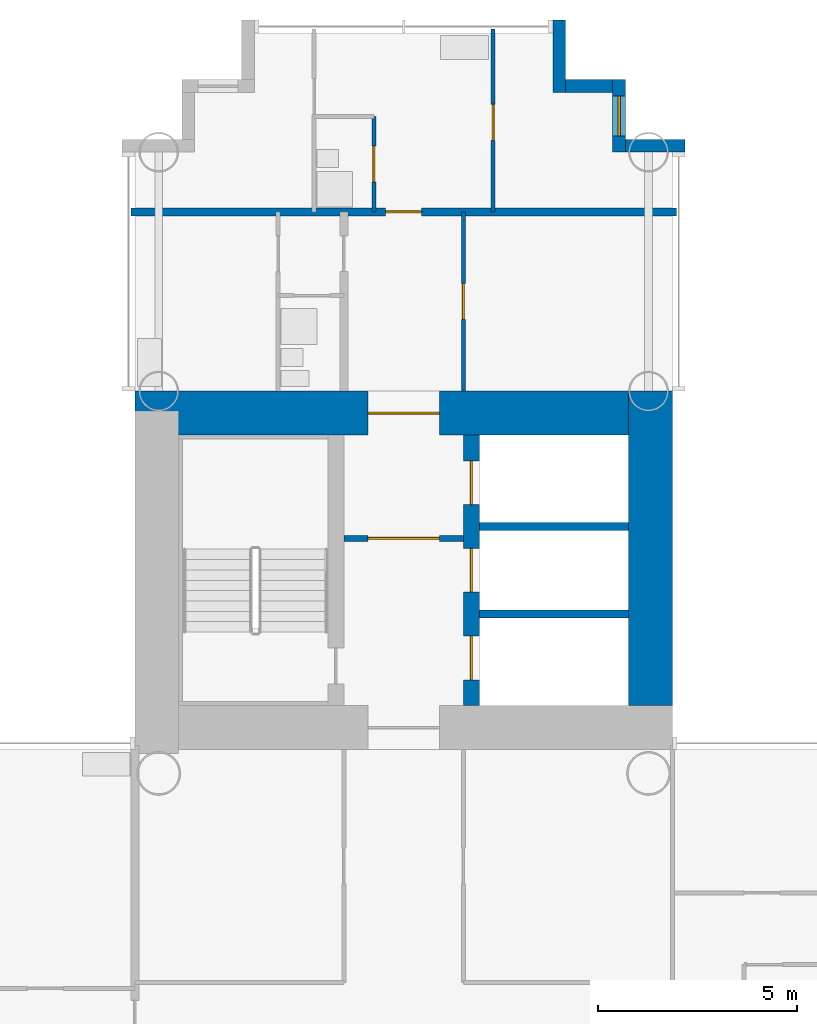
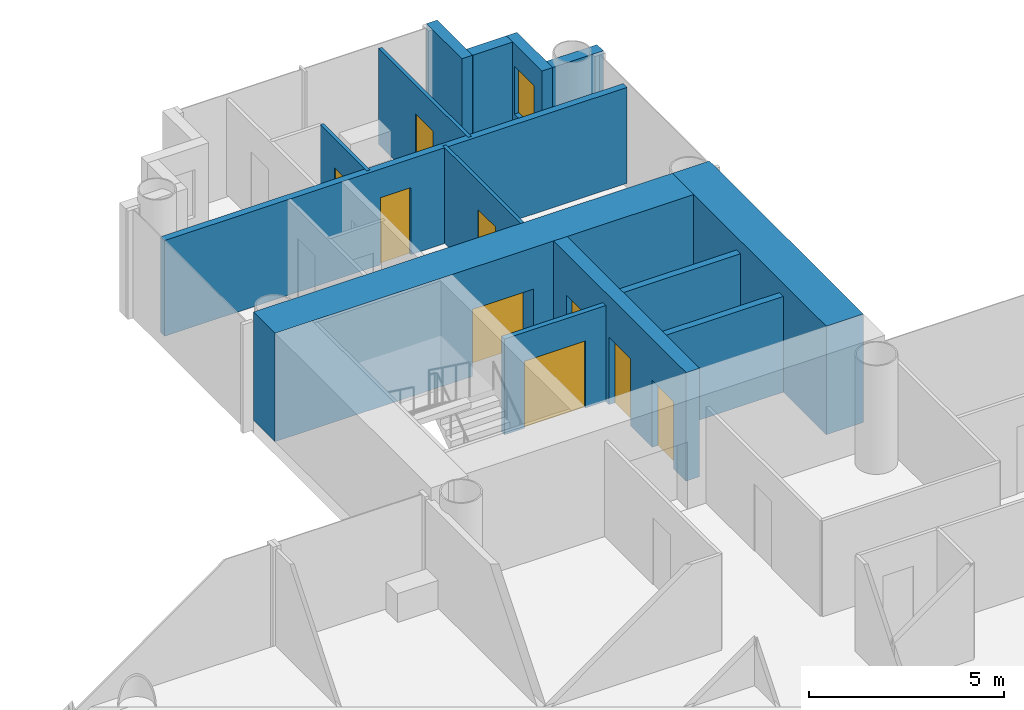
# One storey, part 16 of 22: 14 walls, 9 doors, 1 window, 10 openings.
"""IFC4 building model written with IfcOpenShell, lengths in metres."""

from ifc_helpers import new_model, si_unit, direction, frame, frame_2d, origin, place, context, subcontext, project, spatial, rectangle, extrude, material, layer, layer_set, type_object, element, fill, save


model = new_model("IFC4")

# Units and contexts
model_context = context("Model", 3, precision=1e-05, world=origin(), true_north=direction((0.0, 1.0)))
body_context = subcontext(model_context, "Body", "Model", "MODEL_VIEW")
ifc_project = project(units=[si_unit("LENGTHUNIT", "METRE"), si_unit("AREAUNIT", "SQUARE_METRE"), si_unit("VOLUMEUNIT", "CUBIC_METRE"), si_unit("PLANEANGLEUNIT", "RADIAN"), si_unit("MASSUNIT", "GRAM", prefix="KILO")], contexts=[model_context])

# Site, building, storey
site_placement = place(None, origin())
site = spatial("IfcSite", under=ifc_project, at=site_placement, CompositionType="ELEMENT")
building_placement = place(site_placement, origin())
building = spatial("IfcBuilding", under=site, at=building_placement, Name="Ipe Terrace Towers", CompositionType="ELEMENT")
storey_placement = place(building_placement, frame((0.0, 0.0, 55.10009765625)))
storey = spatial("IfcBuildingStorey", under=building, at=storey_placement, Name="L14", CompositionType="ELEMENT", Elevation=55.10009765625)

# Wall
ifc_material_1 = material(Name="Concrete C40/50 with buff precast cladding", Category="concrete")
ifc_layer_1 = layer(ifc_material_1, 0.320068359375)
ifc_layer_set_1 = layer_set([ifc_layer_1], Name="BUFF CLADDING WALL 320")
wall_type_1 = type_object("IfcWallType", Name="BUFF CLADDING WALL 320", PredefinedType="STANDARD", material=ifc_layer_set_1)
wall_1_placement = place(storey_placement, frame((43.070068359375, 21.909912109375, -0.300048828125), z_axis=(0.0, 0.0, 1.0), x_axis=(-1.0, 0.0, 0.0)))
element("IfcWall", 1, at=wall_1_placement, inside=storey, type_object=wall_type_1, Name="T2-W-L14-21a wall", PredefinedType="STANDARD", context=body_context, shape_type="SweptSolid", body=[
    extrude(rectangle(XDim=1.5, YDim=0.320068359375, at=frame_2d((0.75, 0.0))), origin(), (0.0, 0.0, 1.0), 3.39990234375),
])

# Wall, opening, window
wall_2_placement = place(storey_placement, frame((41.409912109375, 21.75, -0.300048828125), z_axis=(0.0, 0.0, 1.0), x_axis=(0.0, 1.0, 0.0)))
wall_2 = element("IfcWall", 2, at=wall_2_placement, inside=storey, type_object=wall_type_1, Name="T2-W-L14-22a wall", PredefinedType="STANDARD", context=body_context, shape_type="SweptSolid", body=[
    extrude(rectangle(XDim=1.820068359375, YDim=0.320068359375, at=frame_2d((0.91015625, 0.0))), origin(), (0.0, 0.0, 1.0), 3.39990234375),
])
opening_1_placement = place(wall_2_placement, frame((0.409912109375, 0.0, 1.199951171875)))
opening_1 = element("IfcOpeningElement", 3, at=opening_1_placement, cuts=wall_2, Name="Opening T2-W-05-L14-04", PredefinedType="OPENING", context=body_context, shape_type="SweptSolid", body=[
    extrude(rectangle(XDim=1.0, YDim=1.5, at=frame_2d((0.5, 0.75))), frame((0.0, 0.169921875, 0.0), z_axis=(0.0, -1.0, 0.0), x_axis=(1.0, 0.0, 0.0)), (0.0, 0.0, 1.0), 0.340087890625),
])
ifc_material_2 = material(Name="Glass, clear laminated", Category="glass")
window_type = type_object("IfcWindowType", Name="DWELLING WINDOW 1000 x 1500", PartitioningType="SINGLE_PANEL", PredefinedType="WINDOW", material=ifc_material_2)
window_placement = place(opening_1_placement, origin())
window = element("IfcWindow", 4, at=window_placement, inside=storey, type_object=window_type, Name="W-05 window", OverallHeight=1.5, OverallWidth=1.0, PartitioningType="SINGLE_PANEL", PredefinedType="WINDOW", context=body_context, shape_type="SweptSolid", body=[
    extrude(rectangle(XDim=1.0, YDim=1.5, at=frame_2d((0.5, 0.75))), frame((0.0, 0.030029296875, 0.0), z_axis=(0.0, -1.0, 0.0), x_axis=(1.0, 0.0, 0.0)), (0.0, 0.0, 1.0), 0.06005859375),
])
fill(opening_1, window)

# Walls
wall_3_placement = place(storey_placement, frame((41.25, 23.409912109375, -0.300048828125), z_axis=(0.0, 0.0, 1.0), x_axis=(-1.0, 0.0, 0.0)))
element("IfcWall", 5, at=wall_3_placement, inside=storey, type_object=wall_type_1, Name="T2-W-L14-23a wall", PredefinedType="STANDARD", context=body_context, shape_type="SweptSolid", body=[
    extrude(rectangle(XDim=1.179931640625, YDim=0.320068359375, at=frame_2d((0.58984375, 0.0))), origin(), (0.0, 0.0, 1.0), 3.39990234375),
])
wall_4_placement = place(storey_placement, frame((39.909912109375, 23.25, -0.300048828125), z_axis=(0.0, 0.0, 1.0), x_axis=(0.0, 1.0, 0.0)))
element("IfcWall", 6, at=wall_4_placement, inside=storey, type_object=wall_type_1, Name="T2-W-L14-24a wall", PredefinedType="STANDARD", context=body_context, shape_type="SweptSolid", body=[
    extrude(rectangle(XDim=1.820068359375, YDim=0.320068359375, at=frame_2d((0.91015625, 0.0))), origin(), (0.0, 0.0, 1.0), 3.39990234375),
])

# Wall, opening, door
ifc_material_3 = material(Name="Gypsum board partition", Category="plasterboard")
ifc_layer_2 = layer(ifc_material_3, 0.10009765625)
ifc_layer_set_2 = layer_set([ifc_layer_2], Name="Gypsum board partition 100 mm")
wall_type_2 = type_object("IfcWallType", Name="Gypsum board partition 100 mm", PredefinedType="PARTITIONING", material=ifc_layer_set_2)
wall_5_placement = place(storey_placement, frame((38.25, 20.25, 0.0), z_axis=(0.0, 0.0, 1.0), x_axis=(0.0, 1.0, 0.0)))
wall_5 = element("IfcWall", 7, at=wall_5_placement, inside=storey, type_object=wall_type_2, Name="Gypsum board partition T2 L14 W35", PredefinedType="PARTITIONING", context=body_context, shape_type="SweptSolid", body=[
    extrude(rectangle(XDim=4.60009765625, YDim=0.10009765625, at=frame_2d((2.300048828125, 0.0))), origin(), (0.0, 0.0, 1.0), 3.0),
])
opening_2_placement = place(wall_5_placement, frame((1.800048828125, 0.0, 0.0)))
opening_2 = element("IfcOpeningElement", 8, at=opening_2_placement, cuts=wall_5, Name="Opening T2-Z1D-29", PredefinedType="OPENING", context=body_context, shape_type="SweptSolid", body=[
    extrude(rectangle(XDim=0.89990234375, YDim=2.10009765625, at=frame_2d((0.449951171875, 1.050048828125))), frame((0.0, 0.06005859375, 0.0), z_axis=(0.0, -1.0, 0.0), x_axis=(1.0, 0.0, 0.0)), (0.0, 0.0, 1.0), 0.1201171875),
])
ifc_material_4 = material(Name="Timber door leaf", Category="wood")
door_type_1 = type_object("IfcDoorType", Name="Bedroom door 900 x 2100", OperationType="NOTDEFINED", PredefinedType="DOOR", material=ifc_material_4)
door_1_placement = place(opening_2_placement, origin())
door_1 = element("IfcDoor", 9, at=door_1_placement, inside=storey, type_object=door_type_1, Name="Bedroom door T2-Z1D-29", OperationType="SINGLE_SWING_LEFT", OverallHeight=2.10009765625, OverallWidth=0.89990234375, PredefinedType="DOOR", context=body_context, shape_type="SweptSolid", body=[
    extrude(rectangle(XDim=0.89990234375, YDim=2.10009765625, at=frame_2d((0.449951171875, 1.050048828125))), frame((0.0, 0.02490234375, 0.0), z_axis=(0.0, -1.0, 0.0), x_axis=(1.0, 0.0, 0.0)), (0.0, 0.0, 1.0), 0.050048828125),
])
fill(opening_2, door_1)

wall_6_placement = place(storey_placement, frame((37.5, 15.75, 0.0), z_axis=(0.0, 0.0, 1.0), x_axis=(0.0, 1.0, 0.0)))
wall_6 = element("IfcWall", 10, at=wall_6_placement, inside=storey, type_object=wall_type_2, Name="Gypsum board partition T2 L14 W38", PredefinedType="PARTITIONING", context=body_context, shape_type="SweptSolid", body=[
    extrude(rectangle(XDim=4.5, YDim=0.10009765625, at=frame_2d((2.25, 0.0))), origin(), (0.0, 0.0, 1.0), 3.0),
])
opening_3_placement = place(wall_6_placement, frame((1.800048828125, 0.0, 0.0)))
opening_3 = element("IfcOpeningElement", 11, at=opening_3_placement, cuts=wall_6, Name="Opening T2-Z1D-25", PredefinedType="OPENING", context=body_context, shape_type="SweptSolid", body=[
    extrude(rectangle(XDim=0.89990234375, YDim=2.10009765625, at=frame_2d((0.449951171875, 1.050048828125))), frame((0.0, 0.06005859375, 0.0), z_axis=(0.0, -1.0, 0.0), x_axis=(1.0, 0.0, 0.0)), (0.0, 0.0, 1.0), 0.1201171875),
])
ifc_material_5 = material(Name="Timber door leaf", Category="wood")
door_type_2 = type_object("IfcDoorType", Name="Lounge door 900 x 2100", OperationType="NOTDEFINED", PredefinedType="DOOR", material=ifc_material_5)
door_2_placement = place(opening_3_placement, origin())
door_2 = element("IfcDoor", 12, at=door_2_placement, inside=storey, type_object=door_type_2, Name="Lounge door T2-Z1D-25", OperationType="SINGLE_SWING_RIGHT", OverallHeight=2.10009765625, OverallWidth=0.89990234375, PredefinedType="DOOR", context=body_context, shape_type="SweptSolid", body=[
    extrude(rectangle(XDim=0.89990234375, YDim=2.10009765625, at=frame_2d((0.449951171875, 1.050048828125))), frame((0.0, 0.02490234375, 0.0), z_axis=(0.0, -1.0, 0.0), x_axis=(1.0, 0.0, 0.0)), (0.0, 0.0, 1.0), 0.050048828125),
])
fill(opening_3, door_2)

wall_7_placement = place(storey_placement, frame((35.25, 20.25, 0.0), z_axis=(0.0, 0.0, 1.0), x_axis=(0.0, 1.0, 0.0)))
wall_7 = element("IfcWall", 13, at=wall_7_placement, inside=storey, type_object=wall_type_2, Name="Gypsum board partition T2 L14 W41", PredefinedType="PARTITIONING", context=body_context, shape_type="SweptSolid", body=[
    extrude(rectangle(XDim=2.39990234375, YDim=0.10009765625, at=frame_2d((1.199951171875, 0.0))), origin(), (0.0, 0.0, 1.0), 3.0),
])
opening_4_placement = place(wall_7_placement, frame((0.75, 0.0, 0.0)))
opening_4 = element("IfcOpeningElement", 14, at=opening_4_placement, cuts=wall_7, Name="Opening T2-Z1D-26", PredefinedType="OPENING", context=body_context, shape_type="SweptSolid", body=[
    extrude(rectangle(XDim=0.89990234375, YDim=2.10009765625, at=frame_2d((0.449951171875, 1.050048828125))), frame((0.0, 0.06005859375, 0.0), z_axis=(0.0, -1.0, 0.0), x_axis=(1.0, 0.0, 0.0)), (0.0, 0.0, 1.0), 0.1201171875),
])
ifc_material_6 = material(Name="Timber door leaf", Category="wood")
door_type_3 = type_object("IfcDoorType", Name="Bathroom door 900 x 2100", OperationType="NOTDEFINED", PredefinedType="DOOR", material=ifc_material_6)
door_3_placement = place(opening_4_placement, origin())
door_3 = element("IfcDoor", 15, at=door_3_placement, inside=storey, type_object=door_type_3, Name="Bathroom door T2-Z1D-26", OperationType="SINGLE_SWING_LEFT", OverallHeight=2.10009765625, OverallWidth=0.89990234375, PredefinedType="DOOR", context=body_context, shape_type="SweptSolid", body=[
    extrude(rectangle(XDim=0.89990234375, YDim=2.10009765625, at=frame_2d((0.449951171875, 1.050048828125))), frame((0.0, 0.02490234375, 0.0), z_axis=(0.0, -1.0, 0.0), x_axis=(1.0, 0.0, 0.0)), (0.0, 0.0, 1.0), 0.050048828125),
])
fill(opening_4, door_3)

ifc_material_7 = material(Name="Gypsum board partition", Category="plasterboard")
ifc_layer_3 = layer(ifc_material_7, 0.14990234375)
ifc_layer_set_3 = layer_set([ifc_layer_3], Name="Gypsum board partition 150 mm")
wall_type_3 = type_object("IfcWallType", Name="Gypsum board partition 150 mm", PredefinedType="PARTITIONING", material=ifc_layer_set_3)
wall_8_placement = place(storey_placement, frame((37.5, 12.050048828125, 0.0), z_axis=(0.0, 0.0, 1.0), x_axis=(-1.0, 0.0, 0.0)))
wall_8 = element("IfcWall", 16, at=wall_8_placement, inside=storey, type_object=wall_type_3, Name="Gypsum board partition T2 L14 t2c1-lobby-wall", PredefinedType="PARTITIONING", context=body_context, shape_type="SweptSolid", body=[
    extrude(rectangle(XDim=3.0, YDim=0.14990234375, at=frame_2d((1.5, 0.0))), origin(), (0.0, 0.0, 1.0), 3.0),
])
opening_5_placement = place(wall_8_placement, frame((0.60009765625, 0.0, 0.0)))
opening_5 = element("IfcOpeningElement", 17, at=opening_5_placement, cuts=wall_8, Name="Opening T2C1-VD", PredefinedType="OPENING", context=body_context, shape_type="SweptSolid", body=[
    extrude(rectangle(XDim=1.800048828125, YDim=2.10009765625, at=frame_2d((0.89990234375, 1.050048828125))), frame((0.0, 0.0849609375, 0.0), z_axis=(0.0, -1.0, 0.0), x_axis=(1.0, 0.0, 0.0)), (0.0, 0.0, 1.0), 0.169921875),
])
ifc_material_8 = material(Name="Fire-rated timber door leaf", Category="wood")
door_type_4 = type_object("IfcDoorType", Name="Lobby door 1800 x 2100 FD60", OperationType="NOTDEFINED", PredefinedType="DOOR", material=ifc_material_8)
door_4_placement = place(opening_5_placement, origin())
door_4 = element("IfcDoor", 18, at=door_4_placement, inside=storey, type_object=door_type_4, Name="Lobby door T2C1-VD", OperationType="SINGLE_SWING_LEFT", OverallHeight=2.10009765625, OverallWidth=1.800048828125, PredefinedType="DOOR", context=body_context, shape_type="SweptSolid", body=[
    extrude(rectangle(XDim=1.800048828125, YDim=2.10009765625, at=frame_2d((0.89990234375, 1.050048828125))), frame((0.0, 0.02490234375, 0.0), z_axis=(0.0, -1.0, 0.0), x_axis=(1.0, 0.0, 0.0)), (0.0, 0.0, 1.0), 0.050048828125),
])
fill(opening_5, door_4)

# Walls
ifc_material_9 = material(Name="Gypsum board party wall", Category="plasterboard")
ifc_layer_4 = layer(ifc_material_9, 0.199951171875)
ifc_layer_set_4 = layer_set([ifc_layer_4], Name="Gypsum board party wall 200 mm")
wall_type_4 = type_object("IfcWallType", Name="Gypsum board party wall 200 mm", PredefinedType="SOLIDWALL", material=ifc_layer_set_4)
for number, where, z_axis, x_axis, name in (
    (19, (41.64990234375, 10.14990234375, 0.0), (0.0, 0.0, 1.0), (-1.0, 0.0, 0.0), "Gypsum board party wall T2 L14 t2c1-shaft-div1"),
    (20, (41.64990234375, 12.35009765625, 0.0), (0.0, 0.0, 1.0), (-1.0, 0.0, 0.0), "Gypsum board party wall T2 L14 t2c1-shaft-div2"),
):
    element("IfcWall", number, at=place(storey_placement, frame(where, z_axis=z_axis, x_axis=x_axis)), inside=storey, type_object=wall_type_4, Name=name, PredefinedType="SOLIDWALL", context=body_context, shape_type="SweptSolid", body=[
        extrude(rectangle(XDim=3.75, YDim=0.199951171875, at=frame_2d((1.875, 0.0))), origin(), (0.0, 0.0, 1.0), 3.0),
    ])

# Wall, opening, door
wall_9_placement = place(storey_placement, frame((42.85009765625, 20.25, 0.0), z_axis=(0.0, 0.0, 1.0), x_axis=(-1.0, 0.0, 0.0)))
wall_9 = element("IfcWall", 21, at=wall_9_placement, inside=storey, type_object=wall_type_4, Name="Gypsum board party wall T2 L14 W22", PredefinedType="SOLIDWALL", context=body_context, shape_type="SweptSolid", body=[
    extrude(rectangle(XDim=13.7001953125, YDim=0.199951171875, at=frame_2d((6.85009765625, 0.0))), origin(), (0.0, 0.0, 1.0), 3.0),
])
opening_6_placement = place(wall_9_placement, frame((6.39990234375, 0.0, 0.0)))
opening_6 = element("IfcOpeningElement", 22, at=opening_6_placement, cuts=wall_9, Name="Opening T2-Z1D-27", PredefinedType="OPENING", context=body_context, shape_type="SweptSolid", body=[
    extrude(rectangle(XDim=0.89990234375, YDim=2.10009765625, at=frame_2d((0.449951171875, 1.050048828125))), frame((0.0, 0.10986328125, 0.0), z_axis=(0.0, -1.0, 0.0), x_axis=(1.0, 0.0, 0.0)), (0.0, 0.0, 1.0), 0.219970703125),
])
ifc_material_10 = material(Name="Fire-rated timber door leaf", Category="wood")
door_type_5 = type_object("IfcDoorType", Name="Flat entrance door 900 x 2100 FD30S", OperationType="NOTDEFINED", PredefinedType="DOOR", material=ifc_material_10)
door_5_placement = place(opening_6_placement, origin())
door_5 = element("IfcDoor", 23, at=door_5_placement, inside=storey, type_object=door_type_5, Name="Flat entrance door T2-Z1D-27", OperationType="SINGLE_SWING_RIGHT", OverallHeight=2.10009765625, OverallWidth=0.89990234375, PredefinedType="DOOR", context=body_context, shape_type="SweptSolid", body=[
    extrude(rectangle(XDim=0.89990234375, YDim=2.10009765625, at=frame_2d((0.449951171875, 1.050048828125))), frame((0.0, 0.02490234375, 0.0), z_axis=(0.0, -1.0, 0.0), x_axis=(1.0, 0.0, 0.0)), (0.0, 0.0, 1.0), 0.050048828125),
])
fill(opening_6, door_5)

# Wall
ifc_material_11 = material(Name="Concrete C60/75", Category="concrete")
ifc_layer_5 = layer(ifc_material_11, 1.10009765625)
ifc_layer_set_5 = layer_set([ifc_layer_5], Name="RW1100 CORE WALL 1100 C60-75")
wall_type_5 = type_object("IfcWallType", Name="RW1100 CORE WALL 1100 C60-75", PredefinedType="SHEAR", material=ifc_layer_set_5)
wall_10_placement = place(storey_placement, frame((42.199951171875, 7.85009765625, 0.0), z_axis=(0.0, 0.0, 1.0), x_axis=(0.0, 1.0, 0.0)))
element("IfcWall", 24, at=wall_10_placement, inside=storey, type_object=wall_type_5, Name="Core wall T2-C1-Z1-W02", PredefinedType="SHEAR", context=body_context, shape_type="SweptSolid", body=[
    extrude(rectangle(XDim=7.89990234375, YDim=1.10009765625, at=frame_2d((3.949951171875, 0.0))), origin(), (0.0, 0.0, 1.0), 3.39990234375),
])

# Wall, opening, door
wall_11_placement = place(storey_placement, frame((41.64990234375, 15.199951171875, 0.0), z_axis=(0.0, 0.0, 1.0), x_axis=(-1.0, 0.0, 0.0)))
wall_11 = element("IfcWall", 25, at=wall_11_placement, inside=storey, type_object=wall_type_5, Name="Core wall T2-C1-Z1-W03", PredefinedType="SHEAR", context=body_context, shape_type="SweptSolid", body=[
    extrude(rectangle(XDim=12.39990234375, YDim=1.10009765625, at=frame_2d((6.199951171875, 0.0))), origin(), (0.0, 0.0, 1.0), 3.39990234375),
])
opening_7_placement = place(wall_11_placement, frame((4.75, 0.0, 0.0)))
opening_7 = element("IfcOpeningElement", 26, at=opening_7_placement, cuts=wall_11, Name="Opening T2C1-FD", PredefinedType="OPENING", context=body_context, shape_type="SweptSolid", body=[
    extrude(rectangle(XDim=1.800048828125, YDim=2.10009765625, at=frame_2d((0.89990234375, 1.050048828125))), frame((0.0, 0.56005859375, 0.0), z_axis=(0.0, -1.0, 0.0), x_axis=(1.0, 0.0, 0.0)), (0.0, 0.0, 1.0), 1.1201171875),
])
ifc_material_12 = material(Name="Fire-rated timber door leaf", Category="wood")
door_type_6 = type_object("IfcDoorType", Name="Fire door 1800 x 2100 FD30S", OperationType="NOTDEFINED", PredefinedType="DOOR", material=ifc_material_12)
door_6_placement = place(opening_7_placement, origin())
door_6 = element("IfcDoor", 27, at=door_6_placement, inside=storey, type_object=door_type_6, Name="Fire door T2C1-FD", OperationType="SINGLE_SWING_LEFT", OverallHeight=2.10009765625, OverallWidth=1.800048828125, PredefinedType="DOOR", context=body_context, shape_type="SweptSolid", body=[
    extrude(rectangle(XDim=1.800048828125, YDim=2.10009765625, at=frame_2d((0.89990234375, 1.050048828125))), frame((0.0, 0.02490234375, 0.0), z_axis=(0.0, -1.0, 0.0), x_axis=(1.0, 0.0, 0.0)), (0.0, 0.0, 1.0), 0.050048828125),
])
fill(opening_7, door_6)

# Wall, openings, doors
ifc_material_13 = material(Name="Concrete C60/75", Category="concrete")
ifc_layer_6 = layer(ifc_material_13, 0.39990234375)
ifc_layer_set_6 = layer_set([ifc_layer_6], Name="RW400 CORE SPINE WALL 400 C60-75")
wall_type_6 = type_object("IfcWallType", Name="RW400 CORE SPINE WALL 400 C60-75", PredefinedType="SHEAR", material=ifc_layer_set_6)
wall_12_placement = place(storey_placement, frame((37.699951171875, 7.85009765625, 0.0), z_axis=(0.0, 0.0, 1.0), x_axis=(0.0, 1.0, 0.0)))
wall_12 = element("IfcWall", 28, at=wall_12_placement, inside=storey, type_object=wall_type_6, Name="Core spine wall T2-C1-Z1-SW2", PredefinedType="SHEAR", context=body_context, shape_type="SweptSolid", body=[
    extrude(rectangle(XDim=6.7998046875, YDim=0.39990234375, at=frame_2d((3.39990234375, 0.0))), origin(), (0.0, 0.0, 1.0), 3.39990234375),
])
opening_8_placement = place(wall_12_placement, frame((0.64990234375, 0.0, 0.0)))
opening_8 = element("IfcOpeningElement", 29, at=opening_8_placement, cuts=wall_12, Name="Opening T2C1-LD1", PredefinedType="OPENING", context=body_context, shape_type="SweptSolid", body=[
    extrude(rectangle(XDim=1.10009765625, YDim=2.10009765625, at=frame_2d((0.550048828125, 1.050048828125))), frame((0.0, 0.2099609375, 0.0), z_axis=(0.0, -1.0, 0.0), x_axis=(1.0, 0.0, 0.0)), (0.0, 0.0, 1.0), 0.419921875),
])
opening_9_placement = place(wall_12_placement, frame((2.85009765625, 0.0, 0.0)))
opening_9 = element("IfcOpeningElement", 30, at=opening_9_placement, cuts=wall_12, Name="Opening T2C1-LD2", PredefinedType="OPENING", context=body_context, shape_type="SweptSolid", body=[
    extrude(rectangle(XDim=1.10009765625, YDim=2.10009765625, at=frame_2d((0.550048828125, 1.050048828125))), frame((0.0, 0.2099609375, 0.0), z_axis=(0.0, -1.0, 0.0), x_axis=(1.0, 0.0, 0.0)), (0.0, 0.0, 1.0), 0.419921875),
])
opening_10_placement = place(wall_12_placement, frame((5.050048828125, 0.0, 0.0)))
opening_10 = element("IfcOpeningElement", 31, at=opening_10_placement, cuts=wall_12, Name="Opening T2C1-LD3", PredefinedType="OPENING", context=body_context, shape_type="SweptSolid", body=[
    extrude(rectangle(XDim=1.10009765625, YDim=2.10009765625, at=frame_2d((0.550048828125, 1.050048828125))), frame((0.0, 0.2099609375, 0.0), z_axis=(0.0, -1.0, 0.0), x_axis=(1.0, 0.0, 0.0)), (0.0, 0.0, 1.0), 0.419921875),
])
ifc_material_14 = material(Name="Fire-rated timber door leaf", Category="wood")
door_type_7 = type_object("IfcDoorType", Name="Sliding door 1100 x 2100 FD60", OperationType="SLIDING_TO_LEFT", PredefinedType="DOOR", material=ifc_material_14)
door_7_placement = place(opening_8_placement, origin())
door_7 = element("IfcDoor", 32, at=door_7_placement, inside=storey, type_object=door_type_7, Name="Sliding door T2C1-LD1", OperationType="SLIDING_TO_LEFT", OverallHeight=2.10009765625, OverallWidth=1.10009765625, PredefinedType="DOOR", context=body_context, shape_type="SweptSolid", body=[
    extrude(rectangle(XDim=1.10009765625, YDim=2.10009765625, at=frame_2d((0.550048828125, 1.050048828125))), frame((0.0, 0.02490234375, 0.0), z_axis=(0.0, -1.0, 0.0), x_axis=(1.0, 0.0, 0.0)), (0.0, 0.0, 1.0), 0.050048828125),
])
fill(opening_8, door_7)
door_8_placement = place(opening_9_placement, origin())
door_8 = element("IfcDoor", 33, at=door_8_placement, inside=storey, type_object=door_type_7, Name="Sliding door T2C1-LD2", OperationType="SLIDING_TO_LEFT", OverallHeight=2.10009765625, OverallWidth=1.10009765625, PredefinedType="DOOR", context=body_context, shape_type="SweptSolid", body=[
    extrude(rectangle(XDim=1.10009765625, YDim=2.10009765625, at=frame_2d((0.550048828125, 1.050048828125))), frame((0.0, 0.02490234375, 0.0), z_axis=(0.0, -1.0, 0.0), x_axis=(1.0, 0.0, 0.0)), (0.0, 0.0, 1.0), 0.050048828125),
])
fill(opening_9, door_8)
door_9_placement = place(opening_10_placement, origin())
door_9 = element("IfcDoor", 34, at=door_9_placement, inside=storey, type_object=door_type_7, Name="Sliding door T2C1-LD3", OperationType="SLIDING_TO_LEFT", OverallHeight=2.10009765625, OverallWidth=1.10009765625, PredefinedType="DOOR", context=body_context, shape_type="SweptSolid", body=[
    extrude(rectangle(XDim=1.10009765625, YDim=2.10009765625, at=frame_2d((0.550048828125, 1.050048828125))), frame((0.0, 0.02490234375, 0.0), z_axis=(0.0, -1.0, 0.0), x_axis=(1.0, 0.0, 0.0)), (0.0, 0.0, 1.0), 0.050048828125),
])
fill(opening_10, door_9)

save(model, "model.ifc")
